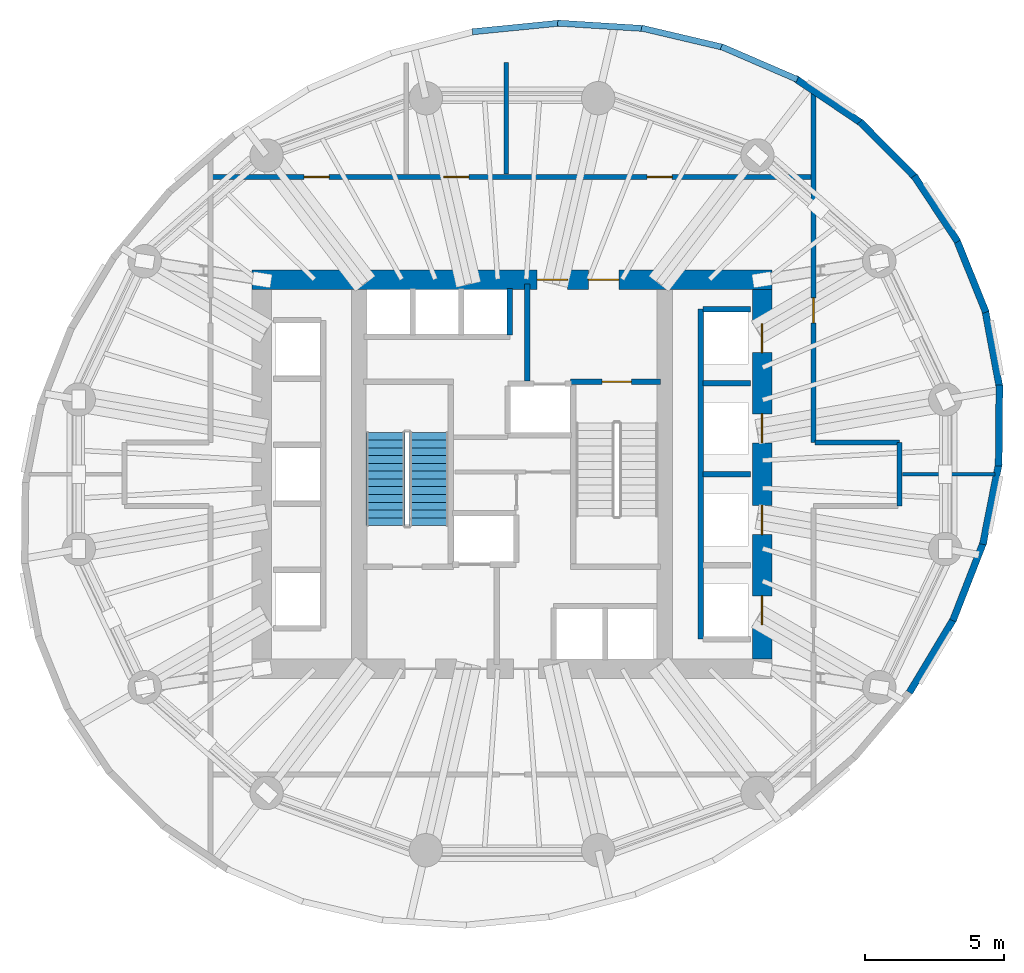
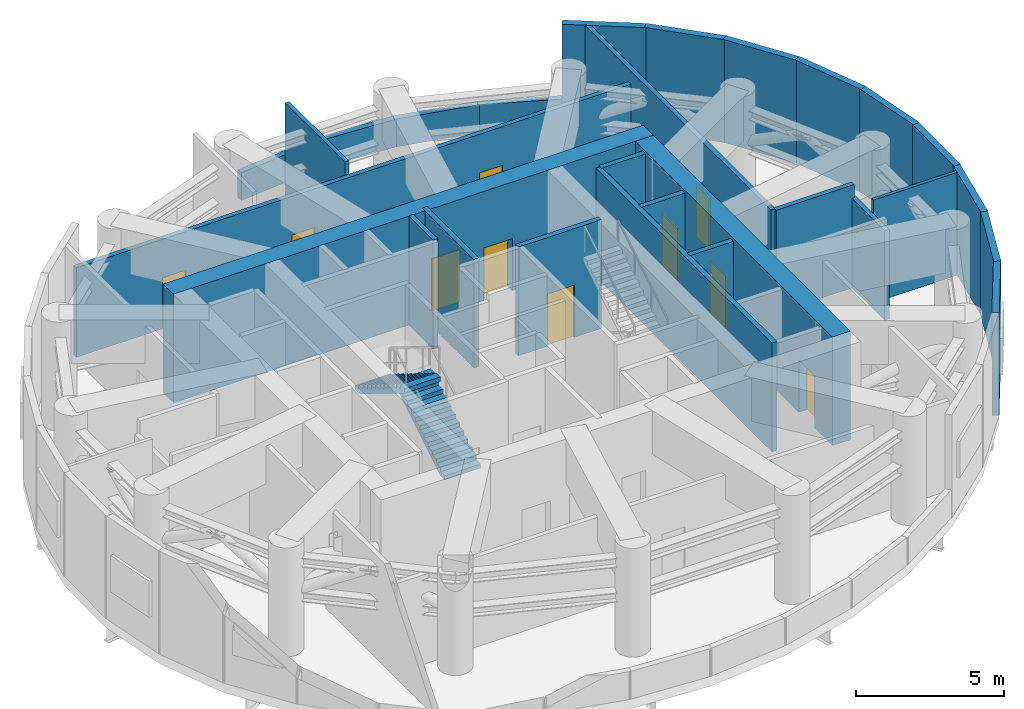
# One storey, part 6 of 9: 28 walls, 11 doors, 2 stair flights, 11 openings, 1 element without a shape of its own.
"""IFC4 building model written with IfcOpenShell, lengths in metres."""

from ifc_helpers import new_model, si_unit, direction, frame, frame_2d, origin, place, context, subcontext, project, spatial, polyline, rectangle, outline, extrude, material, layer, layer_set, type_object, element, fill, aggregate, save


model = new_model("IFC4")

# Units and contexts
model_context = context("Model", 3, precision=1e-05, world=origin(), true_north=direction((0.0, 1.0)))
body_context = subcontext(model_context, "Body", "Model", "MODEL_VIEW")
ifc_project = project(units=[si_unit("LENGTHUNIT", "METRE"), si_unit("AREAUNIT", "SQUARE_METRE"), si_unit("VOLUMEUNIT", "CUBIC_METRE"), si_unit("PLANEANGLEUNIT", "RADIAN"), si_unit("MASSUNIT", "GRAM", prefix="KILO")], contexts=[model_context])

# Site, building, storey
site_placement = place(None, origin())
site = spatial("IfcSite", under=ifc_project, at=site_placement, CompositionType="ELEMENT")
building_placement = place(site_placement, origin())
building = spatial("IfcBuilding", under=site, at=building_placement, Name="Veldorim Arch Residences", CompositionType="ELEMENT")
storey_placement = place(building_placement, frame((0.0, 0.0, 112.47998046875)))
storey = spatial("IfcBuildingStorey", under=building, at=storey_placement, Name="L33", CompositionType="ELEMENT", Elevation=112.47998046875)

# Wall
ifc_material_1 = material(Name="Acoustic Gypsum Board", Category="gypsum")
ifc_layer_1 = layer(ifc_material_1, 0.125, Name="Acoustic Stud Room Partition Wall 125")
ifc_layer_set_1 = layer_set([ifc_layer_1], Name="Acoustic Gypsum Board")
wall_type_1 = type_object("IfcWallType", Name="Acoustic Stud Room Partition Wall 125", PredefinedType="PARTITIONING", material=ifc_layer_set_1)
wall_1_placement = place(storey_placement, frame((46.050048828125, 24.0, 0.0), z_axis=(0.0, 0.0, 1.0), x_axis=(1.0, 0.0, 0.0)))
element("IfcWall", 1, at=wall_1_placement, inside=storey, type_object=wall_type_1, Name="L33 interior wall WL-PLT-L33-016", PredefinedType="PARTITIONING", context=body_context, shape_type="SweptSolid", body=[
    extrude(rectangle(XDim=3.3271484375, YDim=0.125, at=frame_2d((1.66357421875, 0.0))), origin(), (0.0, 0.0, 1.0), 4.235107421875),
])

# Wall, openings, doors
ifc_material_2 = material(Name="Lightweight Masonry Block & Gypsum", Category="masonry")
ifc_layer_2 = layer(ifc_material_2, 0.179931640625, Name="Compartment & Corridor Fire-Rated Party Wall 180")
ifc_layer_set_2 = layer_set([ifc_layer_2], Name="Lightweight Masonry Block & Gypsum")
wall_type_2 = type_object("IfcWallType", Name="Compartment & Corridor Fire-Rated Party Wall 180", PredefinedType="PARTITIONING", material=ifc_layer_set_2)
wall_2_placement = place(storey_placement, frame((21.14990234375, 34.699951171875, 0.0), z_axis=(0.0, 0.0, 1.0), x_axis=(1.0, 0.0, 0.0)))
wall_2 = element("IfcWall", 2, at=wall_2_placement, inside=storey, type_object=wall_type_2, Name="L33 interior wall WL-PLT-L33-002", PredefinedType="PARTITIONING", context=body_context, shape_type="SweptSolid", body=[
    extrude(rectangle(XDim=21.7001953125, YDim=0.179931640625, at=frame_2d((10.85009765625, 0.0))), origin(), (0.0, 0.0, 1.0), 3.69140625),
])
opening_1_placement = place(wall_2_placement, frame((15.715087890625, 0.0, 0.0)))
opening_1 = element("IfcOpeningElement", 3, at=opening_1_placement, cuts=wall_2, Name="Opening DR-INT", PredefinedType="OPENING", context=body_context, shape_type="SweptSolid", body=[
    extrude(rectangle(XDim=0.89990234375, YDim=2.10009765625, at=frame_2d((0.449951171875, 1.050048828125))), frame((0.0, 0.099853515625, 0.0), z_axis=(0.0, -1.0, 0.0), x_axis=(1.0, 0.0, 0.0)), (0.0, 0.0, 1.0), 0.199951171875),
])
opening_2_placement = place(wall_2_placement, frame((8.39990234375, 0.0, 0.0)))
opening_2 = element("IfcOpeningElement", 4, at=opening_2_placement, cuts=wall_2, Name="Opening DR-WC", PredefinedType="OPENING", context=body_context, shape_type="SweptSolid", body=[
    extrude(rectangle(XDim=0.89990234375, YDim=2.10009765625, at=frame_2d((0.449951171875, 1.050048828125))), frame((0.0, 0.099853515625, 0.0), z_axis=(0.0, -1.0, 0.0), x_axis=(1.0, 0.0, 0.0)), (0.0, 0.0, 1.0), 0.199951171875),
])
opening_3_placement = place(wall_2_placement, frame((3.364990234375, 0.0, 0.0)))
opening_3 = element("IfcOpeningElement", 5, at=opening_3_placement, cuts=wall_2, Name="Opening DR-SVC", PredefinedType="OPENING", context=body_context, shape_type="SweptSolid", body=[
    extrude(rectangle(XDim=0.89990234375, YDim=2.10009765625, at=frame_2d((0.449951171875, 1.050048828125))), frame((0.0, 0.099853515625, 0.0), z_axis=(0.0, -1.0, 0.0), x_axis=(1.0, 0.0, 0.0)), (0.0, 0.0, 1.0), 0.199951171875),
])
ifc_material_3 = material(Name="Engineered Timber", Category="wood")
door_type_1 = type_object("IfcDoorType", Name="Apartment Internal Room Timber Door 900x2100", OperationType="SINGLE_SWING_LEFT", PredefinedType="DOOR", material=ifc_material_3)
door_1_placement = place(opening_1_placement, origin())
door_1 = element("IfcDoor", 6, at=door_1_placement, inside=storey, type_object=door_type_1, Name="L33 interior door DR-PLT-L33-002", OperationType="SINGLE_SWING_RIGHT", OverallHeight=2.10009765625, OverallWidth=0.89990234375, PredefinedType="DOOR", context=body_context, shape_type="SweptSolid", body=[
    extrude(rectangle(XDim=0.89990234375, YDim=2.10009765625, at=frame_2d((0.449951171875, 1.050048828125))), frame((0.0, 0.02490234375, 0.0), z_axis=(0.0, -1.0, 0.0), x_axis=(1.0, 0.0, 0.0)), (0.0, 0.0, 1.0), 0.050048828125),
])
fill(opening_1, door_1)
ifc_material_4 = material(Name="Laminate Timber", Category="wood")
door_type_2 = type_object("IfcDoorType", Name="Bathroom & Accessible WC Moisture-Sealed Door 900x2100", OperationType="SINGLE_SWING_LEFT", PredefinedType="DOOR", material=ifc_material_4)
door_2_placement = place(opening_2_placement, origin())
door_2 = element("IfcDoor", 7, at=door_2_placement, inside=storey, type_object=door_type_2, Name="L33 interior door DR-PLT-L33-003", OperationType="SINGLE_SWING_LEFT", OverallHeight=2.10009765625, OverallWidth=0.89990234375, PredefinedType="DOOR", context=body_context, shape_type="SweptSolid", body=[
    extrude(rectangle(XDim=0.89990234375, YDim=2.10009765625, at=frame_2d((0.449951171875, 1.050048828125))), frame((0.0, 0.02490234375, 0.0), z_axis=(0.0, -1.0, 0.0), x_axis=(1.0, 0.0, 0.0)), (0.0, 0.0, 1.0), 0.050048828125),
])
fill(opening_2, door_2)
ifc_material_5 = material(Name="Fire-Rated Steel", Category="steel")
door_type_3 = type_object("IfcDoorType", Name="Riser, Shelter & Plant Room Rated Steel Door 900x2100", OperationType="SINGLE_SWING_LEFT", PredefinedType="DOOR", material=ifc_material_5)
door_3_placement = place(opening_3_placement, origin())
door_3 = element("IfcDoor", 8, at=door_3_placement, inside=storey, type_object=door_type_3, Name="L33 interior door DR-PLT-L33-004", OperationType="SINGLE_SWING_RIGHT", OverallHeight=2.10009765625, OverallWidth=0.89990234375, PredefinedType="DOOR", context=body_context, shape_type="SweptSolid", body=[
    extrude(rectangle(XDim=0.89990234375, YDim=2.10009765625, at=frame_2d((0.449951171875, 1.050048828125))), frame((0.0, 0.02490234375, 0.0), z_axis=(0.0, -1.0, 0.0), x_axis=(1.0, 0.0, 0.0)), (0.0, 0.0, 1.0), 0.050048828125),
])
fill(opening_3, door_3)

# Wall
wall_3_placement = place(storey_placement, frame((45.949951171875, 25.14990234375, 0.0), z_axis=(0.0, 0.0, 1.0), x_axis=(0.0, -1.0, 0.0)))
element("IfcWall", 9, at=wall_3_placement, inside=storey, type_object=wall_type_2, Name="L33 interior wall WL-PLT-L33-008", PredefinedType="PARTITIONING", context=body_context, shape_type="SweptSolid", body=[
    extrude(rectangle(XDim=2.2998046875, YDim=0.179931640625, at=frame_2d((1.14990234375, 0.0))), origin(), (0.0, 0.0, 1.0), 3.69140625),
])

# Wall, opening, door
wall_4_placement = place(storey_placement, frame((42.85009765625, 37.72119140625, 0.0), z_axis=(0.0, 0.0, 1.0), x_axis=(0.0, -1.0, 0.0)))
wall_4 = element("IfcWall", 10, at=wall_4_placement, inside=storey, type_object=wall_type_2, Name="L33 interior wall WL-PLT-L33-011", PredefinedType="PARTITIONING", context=body_context, shape_type="SweptSolid", body=[
    extrude(rectangle(XDim=12.5712890625, YDim=0.179931640625, at=frame_2d((6.28564453125, 0.0))), origin(), (0.0, 0.0, 1.0), 4.235107421875),
])
opening_4_placement = place(wall_4_placement, frame((7.376220703125, 0.0, 0.0)))
opening_4 = element("IfcOpeningElement", 11, at=opening_4_placement, cuts=wall_4, Name="Opening DR-SVC", PredefinedType="OPENING", context=body_context, shape_type="SweptSolid", body=[
    extrude(rectangle(XDim=0.89990234375, YDim=2.10009765625, at=frame_2d((0.449951171875, 1.050048828125))), frame((0.0, 0.099853515625, 0.0), z_axis=(0.0, -1.0, 0.0), x_axis=(1.0, 0.0, 0.0)), (0.0, 0.0, 1.0), 0.199951171875),
])
door_4_placement = place(opening_4_placement, origin())
door_4 = element("IfcDoor", 12, at=door_4_placement, inside=storey, type_object=door_type_3, Name="L33 interior door DR-PLT-L33-008", OperationType="SINGLE_SWING_RIGHT", OverallHeight=2.10009765625, OverallWidth=0.89990234375, PredefinedType="DOOR", context=body_context, shape_type="SweptSolid", body=[
    extrude(rectangle(XDim=0.89990234375, YDim=2.10009765625, at=frame_2d((0.449951171875, 1.050048828125))), frame((0.0, 0.02490234375, 0.0), z_axis=(0.0, -1.0, 0.0), x_axis=(1.0, 0.0, 0.0)), (0.0, 0.0, 1.0), 0.050048828125),
])
fill(opening_4, door_4)

# Wall
wall_5_placement = place(storey_placement, frame((42.909912109375, 25.14990234375, 0.0), z_axis=(0.0, 0.0, 1.0), x_axis=(1.0, 0.0, 0.0)))
element("IfcWall", 13, at=wall_5_placement, inside=storey, type_object=wall_type_2, Name="L33 interior wall WL-PLT-L33-012", PredefinedType="PARTITIONING", context=body_context, shape_type="SweptSolid", body=[
    extrude(rectangle(XDim=3.0400390625, YDim=0.179931640625, at=frame_2d((1.52001953125, 0.0))), origin(), (0.0, 0.0, 1.0), 4.235107421875),
])

# Wall, opening, door
ifc_material_6 = material(Name="Concrete C50/60", Category="concrete")
ifc_layer_3 = layer(ifc_material_6, 0.199951171875, Name="Core Stair & Lift Shaft Enclosure Wall 200")
ifc_layer_set_3 = layer_set([ifc_layer_3], Name="Concrete C50/60")
wall_type_3 = type_object("IfcWallType", Name="Core Stair & Lift Shaft Enclosure Wall 200", PredefinedType="SHEAR", material=ifc_layer_set_3)
wall_6_placement = place(storey_placement, frame((34.110107421875, 27.330078125, 0.0), z_axis=(0.0, 0.0, 1.0), x_axis=(1.0, 0.0, 0.0)))
wall_6 = element("IfcWall", 14, at=wall_6_placement, inside=storey, type_object=wall_type_3, Name="L33 shaft wall WL-SHF-L33-ST2-N", PredefinedType="SHEAR", context=body_context, shape_type="SweptSolid", body=[
    extrude(rectangle(XDim=3.239990234375, YDim=0.199951171875, at=frame_2d((1.6201171875, 0.0))), origin(), (0.0, 0.0, 1.0), 4.47998046875),
])
opening_5_placement = place(wall_6_placement, frame((1.135009765625, 0.0, 0.0)))
opening_5 = element("IfcOpeningElement", 15, at=opening_5_placement, cuts=wall_6, Name="Opening DR-ST", PredefinedType="OPENING", context=body_context, shape_type="SweptSolid", body=[
    extrude(rectangle(XDim=1.050048828125, YDim=2.14990234375, at=frame_2d((0.52490234375, 1.074951171875))), frame((0.0, 0.10986328125, 0.0), z_axis=(0.0, -1.0, 0.0), x_axis=(1.0, 0.0, 0.0)), (0.0, 0.0, 1.0), 0.219970703125),
])
ifc_material_7 = material(Name="Fire-Rated Steel", Category="steel")
door_type_4 = type_object("IfcDoorType", Name="Exit Staircase Self-Closing Fire Door 1050x2150", OperationType="SINGLE_SWING_LEFT", PredefinedType="DOOR", material=ifc_material_7)
door_5_placement = place(opening_5_placement, origin())
door_5 = element("IfcDoor", 16, at=door_5_placement, inside=storey, type_object=door_type_4, Name="L33 interior door DR-L33-ST2", OperationType="SINGLE_SWING_RIGHT", OverallHeight=2.14990234375, OverallWidth=1.050048828125, PredefinedType="DOOR", context=body_context, shape_type="SweptSolid", body=[
    extrude(rectangle(XDim=1.050048828125, YDim=2.14990234375, at=frame_2d((0.52490234375, 1.074951171875))), frame((0.0, 0.02490234375, 0.0), z_axis=(0.0, -1.0, 0.0), x_axis=(1.0, 0.0, 0.0)), (0.0, 0.0, 1.0), 0.050048828125),
])
fill(opening_5, door_5)

# Walls
wall_7_placement = place(storey_placement, frame((32.550048828125, 27.35009765625, 0.0), z_axis=(0.0, 0.0, 1.0), x_axis=(0.0, 1.0, 0.0)))
element("IfcWall", 17, at=wall_7_placement, inside=storey, type_object=wall_type_3, Name="L33 shaft wall WL-FFL2-L33-W", PredefinedType="SHEAR", context=body_context, shape_type="SweptSolid", body=[
    extrude(rectangle(XDim=3.5, YDim=0.199951171875, at=frame_2d((1.75, 0.0))), origin(), (0.0, 0.0, 1.0), 4.47998046875),
])
wall_8_placement = place(storey_placement, frame((38.800048828125, 18.06005859375, 0.0), z_axis=(0.0, 0.0, 1.0), x_axis=(0.0, 1.0, 0.0)))
element("IfcWall", 18, at=wall_8_placement, inside=storey, type_object=wall_type_3, Name="L33 shaft wall WL-B1-L33-W", PredefinedType="SHEAR", context=body_context, shape_type="SweptSolid", body=[
    extrude(rectangle(XDim=11.8798828125, YDim=0.199951171875, at=frame_2d((5.93994140625, 0.0))), origin(), (0.0, 0.0, 1.0), 4.47998046875),
])
for number, where, z_axis, x_axis, name in (
    (19, (38.8701171875, 29.93994140625, 0.0), (0.0, 0.0, 1.0), (1.0, 0.0, 0.0), "L33 shaft wall WL-B1-L33-N"),
    (20, (38.8701171875, 24.0, 0.0), (0.0, 0.0, 1.0), (1.0, 0.0, 0.0), "L33 shaft wall WL-B1-L33-D2"),
    (21, (38.8701171875, 27.27490234375, 0.0), (0.0, 0.0, 1.0), (1.0, 0.0, 0.0), "L33 shaft wall WL-B1-L33-D3"),
):
    element("IfcWall", number, at=place(storey_placement, frame(where, z_axis=z_axis, x_axis=x_axis)), inside=storey, type_object=wall_type_3, Name=name, PredefinedType="SHEAR", context=body_context, shape_type="SweptSolid", body=[
        extrude(rectangle(XDim=1.7099609375, YDim=0.199951171875, at=frame_2d((0.85498046875, 0.0))), origin(), (0.0, 0.0, 1.0), 4.47998046875),
    ])
wall_9_placement = place(storey_placement, frame((31.919921875, 29.02001953125, 0.0), z_axis=(0.0, 0.0, 1.0), x_axis=(0.0, 1.0, 0.0)))
element("IfcWall", 22, at=wall_9_placement, inside=storey, type_object=wall_type_3, Name="L33 shaft wall WL-B3-L33-E", PredefinedType="SHEAR", context=body_context, shape_type="SweptSolid", body=[
    extrude(rectangle(XDim=1.659912109375, YDim=0.199951171875, at=frame_2d((0.830078125, 0.0))), origin(), (0.0, 0.0, 1.0), 4.47998046875),
])

# Wall, openings, doors
ifc_material_8 = material(Name="Concrete C60/75", Category="concrete")
ifc_layer_4 = layer(ifc_material_8, 0.699951171875, Name="Mid-Lower Central Core Shear Wall 700")
ifc_layer_set_4 = layer_set([ifc_layer_4], Name="Concrete C60/75")
wall_type_4 = type_object("IfcWallType", Name="Mid-Lower Central Core Shear Wall 700", PredefinedType="SHEAR", material=ifc_layer_set_4)
wall_10_placement = place(storey_placement, frame((22.64990234375, 31.0, 0.0), z_axis=(0.0, 0.0, 1.0), x_axis=(1.0, 0.0, 0.0)))
wall_10 = element("IfcWall", 23, at=wall_10_placement, inside=storey, type_object=wall_type_4, Name="L33 central core north shear wall", PredefinedType="SHEAR", context=body_context, shape_type="SweptSolid", body=[
    extrude(rectangle(XDim=18.7001953125, YDim=0.699951171875, at=frame_2d((9.35009765625, 0.0))), origin(), (0.0, 0.0, 1.0), 4.47998046875),
])
opening_6_placement = place(wall_10_placement, frame((10.25, 0.0, 0.0)))
opening_6 = element("IfcOpeningElement", 24, at=opening_6_placement, cuts=wall_10, Name="Opening DR-FFL", PredefinedType="OPENING", context=body_context, shape_type="SweptSolid", body=[
    extrude(rectangle(XDim=1.10009765625, YDim=2.14990234375, at=frame_2d((0.550048828125, 1.074951171875))), frame((0.0, 0.35986328125, 0.0), z_axis=(0.0, -1.0, 0.0), x_axis=(1.0, 0.0, 0.0)), (0.0, 0.0, 1.0), 0.719970703125),
])
opening_7_placement = place(wall_10_placement, frame((12.10009765625, 0.0, 0.0)))
opening_7 = element("IfcOpeningElement", 25, at=opening_7_placement, cuts=wall_10, Name="Opening DR-FFL", PredefinedType="OPENING", context=body_context, shape_type="SweptSolid", body=[
    extrude(rectangle(XDim=1.10009765625, YDim=2.14990234375, at=frame_2d((0.550048828125, 1.074951171875))), frame((0.0, 0.35986328125, 0.0), z_axis=(0.0, -1.0, 0.0), x_axis=(1.0, 0.0, 0.0)), (0.0, 0.0, 1.0), 0.719970703125),
])
ifc_material_9 = material(Name="Fire-Rated Steel & Vision Glass", Category="steel")
door_type_5 = type_object("IfcDoorType", Name="Firefighting Lobby Smoke-Stop Fire Door 1100x2150", OperationType="SINGLE_SWING_LEFT", PredefinedType="DOOR", material=ifc_material_9)
door_6_placement = place(opening_6_placement, origin())
door_6 = element("IfcDoor", 26, at=door_6_placement, inside=storey, type_object=door_type_5, Name="L33 interior door DR-L33-FFL2", OperationType="SINGLE_SWING_RIGHT", OverallHeight=2.14990234375, OverallWidth=1.10009765625, PredefinedType="DOOR", context=body_context, shape_type="SweptSolid", body=[
    extrude(rectangle(XDim=1.10009765625, YDim=2.14990234375, at=frame_2d((0.550048828125, 1.074951171875))), frame((0.0, 0.02490234375, 0.0), z_axis=(0.0, -1.0, 0.0), x_axis=(1.0, 0.0, 0.0)), (0.0, 0.0, 1.0), 0.050048828125),
])
fill(opening_6, door_6)
door_7_placement = place(opening_7_placement, origin())
door_7 = element("IfcDoor", 27, at=door_7_placement, inside=storey, type_object=door_type_5, Name="L33 interior door DR-L33-REF2", OperationType="SINGLE_SWING_LEFT", OverallHeight=2.14990234375, OverallWidth=1.10009765625, PredefinedType="DOOR", context=body_context, shape_type="SweptSolid", body=[
    extrude(rectangle(XDim=1.10009765625, YDim=2.14990234375, at=frame_2d((0.550048828125, 1.074951171875))), frame((0.0, 0.02490234375, 0.0), z_axis=(0.0, -1.0, 0.0), x_axis=(1.0, 0.0, 0.0)), (0.0, 0.0, 1.0), 0.050048828125),
])
fill(opening_7, door_7)

wall_11_placement = place(storey_placement, frame((41.0, 17.35009765625, 0.0), z_axis=(0.0, 0.0, 1.0), x_axis=(0.0, 1.0, 0.0)))
wall_11 = element("IfcWall", 28, at=wall_11_placement, inside=storey, type_object=wall_type_4, Name="L33 central core east shear wall", PredefinedType="SHEAR", context=body_context, shape_type="SweptSolid", body=[
    extrude(rectangle(XDim=13.2998046875, YDim=0.699951171875, at=frame_2d((6.64990234375, 0.0))), origin(), (0.0, 0.0, 1.0), 4.47998046875),
])
opening_8_placement = place(wall_11_placement, frame((1.22509765625, 0.0, 0.0)))
opening_8 = element("IfcOpeningElement", 29, at=opening_8_placement, cuts=wall_11, Name="Opening LD-PS", PredefinedType="OPENING", context=body_context, shape_type="SweptSolid", body=[
    extrude(rectangle(XDim=1.050048828125, YDim=2.14990234375, at=frame_2d((0.52490234375, 1.074951171875))), frame((0.0, 0.35986328125, 0.0), z_axis=(0.0, -1.0, 0.0), x_axis=(1.0, 0.0, 0.0)), (0.0, 0.0, 1.0), 0.719970703125),
])
opening_9_placement = place(wall_11_placement, frame((4.47509765625, 0.0, 0.0)))
opening_9 = element("IfcOpeningElement", 30, at=opening_9_placement, cuts=wall_11, Name="Opening LD-PS", PredefinedType="OPENING", context=body_context, shape_type="SweptSolid", body=[
    extrude(rectangle(XDim=1.050048828125, YDim=2.14990234375, at=frame_2d((0.52490234375, 1.074951171875))), frame((0.0, 0.35986328125, 0.0), z_axis=(0.0, -1.0, 0.0), x_axis=(1.0, 0.0, 0.0)), (0.0, 0.0, 1.0), 0.719970703125),
])
opening_10_placement = place(wall_11_placement, frame((7.77490234375, 0.0, 0.0)))
opening_10 = element("IfcOpeningElement", 31, at=opening_10_placement, cuts=wall_11, Name="Opening LD-PS", PredefinedType="OPENING", context=body_context, shape_type="SweptSolid", body=[
    extrude(rectangle(XDim=1.050048828125, YDim=2.14990234375, at=frame_2d((0.52490234375, 1.074951171875))), frame((0.0, 0.35986328125, 0.0), z_axis=(0.0, -1.0, 0.0), x_axis=(1.0, 0.0, 0.0)), (0.0, 0.0, 1.0), 0.719970703125),
])
opening_11_placement = place(wall_11_placement, frame((11.02490234375, 0.0, 0.0)))
opening_11 = element("IfcOpeningElement", 32, at=opening_11_placement, cuts=wall_11, Name="Opening LD-PS", PredefinedType="OPENING", context=body_context, shape_type="SweptSolid", body=[
    extrude(rectangle(XDim=1.050048828125, YDim=2.14990234375, at=frame_2d((0.52490234375, 1.074951171875))), frame((0.0, 0.35986328125, 0.0), z_axis=(0.0, -1.0, 0.0), x_axis=(1.0, 0.0, 0.0)), (0.0, 0.0, 1.0), 0.719970703125),
])
ifc_material_10 = material(Name="Stainless Steel", Category="steel")
door_type_6 = type_object("IfcDoorType", Name="Passenger Lift Bi-Parting Sliding Landing Door 1050x2150", OperationType="DOUBLE_DOOR_SLIDING", PredefinedType="DOOR", material=ifc_material_10)
door_8_placement = place(opening_8_placement, origin())
door_8 = element("IfcDoor", 33, at=door_8_placement, inside=storey, type_object=door_type_6, Name="L33 lift landing door LD-L33-PL-01", OperationType="DOUBLE_DOOR_SLIDING", OverallHeight=2.14990234375, OverallWidth=1.050048828125, PredefinedType="DOOR", context=body_context, shape_type="SweptSolid", body=[
    extrude(rectangle(XDim=1.050048828125, YDim=2.14990234375, at=frame_2d((0.52490234375, 1.074951171875))), frame((0.0, 0.02490234375, 0.0), z_axis=(0.0, -1.0, 0.0), x_axis=(1.0, 0.0, 0.0)), (0.0, 0.0, 1.0), 0.050048828125),
])
fill(opening_8, door_8)
door_9_placement = place(opening_9_placement, origin())
door_9 = element("IfcDoor", 34, at=door_9_placement, inside=storey, type_object=door_type_6, Name="L33 lift landing door LD-L33-PL-02", OperationType="DOUBLE_DOOR_SLIDING", OverallHeight=2.14990234375, OverallWidth=1.050048828125, PredefinedType="DOOR", context=body_context, shape_type="SweptSolid", body=[
    extrude(rectangle(XDim=1.050048828125, YDim=2.14990234375, at=frame_2d((0.52490234375, 1.074951171875))), frame((0.0, 0.02490234375, 0.0), z_axis=(0.0, -1.0, 0.0), x_axis=(1.0, 0.0, 0.0)), (0.0, 0.0, 1.0), 0.050048828125),
])
fill(opening_9, door_9)
door_10_placement = place(opening_10_placement, origin())
door_10 = element("IfcDoor", 35, at=door_10_placement, inside=storey, type_object=door_type_6, Name="L33 lift landing door LD-L33-PL-03", OperationType="DOUBLE_DOOR_SLIDING", OverallHeight=2.14990234375, OverallWidth=1.050048828125, PredefinedType="DOOR", context=body_context, shape_type="SweptSolid", body=[
    extrude(rectangle(XDim=1.050048828125, YDim=2.14990234375, at=frame_2d((0.52490234375, 1.074951171875))), frame((0.0, 0.02490234375, 0.0), z_axis=(0.0, -1.0, 0.0), x_axis=(1.0, 0.0, 0.0)), (0.0, 0.0, 1.0), 0.050048828125),
])
fill(opening_10, door_10)
door_11_placement = place(opening_11_placement, origin())
door_11 = element("IfcDoor", 36, at=door_11_placement, inside=storey, type_object=door_type_6, Name="L33 lift landing door LD-L33-PL-04", OperationType="DOUBLE_DOOR_SLIDING", OverallHeight=2.14990234375, OverallWidth=1.050048828125, PredefinedType="DOOR", context=body_context, shape_type="SweptSolid", body=[
    extrude(rectangle(XDim=1.050048828125, YDim=2.14990234375, at=frame_2d((0.52490234375, 1.074951171875))), frame((0.0, 0.02490234375, 0.0), z_axis=(0.0, -1.0, 0.0), x_axis=(1.0, 0.0, 0.0)), (0.0, 0.0, 1.0), 0.050048828125),
])
fill(opening_11, door_11)

# Walls
ifc_material_11 = material(Name="Precast concrete C40/50", Category="concrete")
ifc_layer_5 = layer(ifc_material_11, 0.219970703125, Name="Terrace & Refuge Perimeter Parapet Wall 220")
ifc_layer_set_5 = layer_set([ifc_layer_5], Name="Precast concrete C40/50")
wall_type_5 = type_object("IfcWallType", Name="Terrace & Refuge Perimeter Parapet Wall 220", PredefinedType="PARAPET", material=ifc_layer_set_5)
wall_12_placement = place(storey_placement, frame((39.537353515625, 39.390380859375, 0.0), z_axis=(0.0, 0.0, 1.0), x_axis=(0.917825556338, -0.396983939389, 0.0)))
element("IfcWall", 37, at=wall_12_placement, inside=storey, type_object=wall_type_5, Name="L33 fire refuge safety parapet 03", PredefinedType="PARAPET", context=body_context, shape_type="SweptSolid", body=[
    extrude(rectangle(XDim=2.978271484375, YDim=0.219970703125, at=frame_2d((1.4892578125, 0.0))), origin(), (0.0, 0.0, 1.0), 1.14990234375),
])
wall_13_placement = place(storey_placement, frame((36.662109375, 40.05810546875, 0.0), z_axis=(0.0, 0.0, 1.0), x_axis=(0.973415069123, -0.229048255186, 0.0)))
element("IfcWall", 38, at=wall_13_placement, inside=storey, type_object=wall_type_5, Name="L33 fire refuge safety parapet 04", PredefinedType="PARAPET", context=body_context, shape_type="SweptSolid", body=[
    extrude(rectangle(XDim=3.050537109375, YDim=0.219970703125, at=frame_2d((1.525390625, 0.0))), origin(), (0.0, 0.0, 1.0), 1.14990234375),
])
wall_14_placement = place(storey_placement, frame((33.64404296875, 40.23828125, 0.0), z_axis=(0.0, 0.0, 1.0), x_axis=(0.998055012508, -0.062339329543, 0.0)))
element("IfcWall", 39, at=wall_14_placement, inside=storey, type_object=wall_type_5, Name="L33 fire refuge safety parapet 05", PredefinedType="PARAPET", context=body_context, shape_type="SweptSolid", body=[
    extrude(rectangle(XDim=3.121337890625, YDim=0.219970703125, at=frame_2d((1.560546875, 0.0))), origin(), (0.0, 0.0, 1.0), 1.14990234375),
])
wall_15_placement = place(storey_placement, frame((30.5751953125, 39.92529296875, 0.0), z_axis=(0.0, 0.0, 1.0), x_axis=(0.995089470492, 0.098979521701, 0.0)))
element("IfcWall", 40, at=wall_15_placement, inside=storey, type_object=wall_type_5, Name="L33 fire refuge safety parapet 06", PredefinedType="PARAPET", context=body_context, shape_type="SweptSolid", body=[
    extrude(rectangle(XDim=3.181884765625, YDim=0.219970703125, at=frame_2d((1.5908203125, 0.0))), origin(), (0.0, 0.0, 1.0), 1.14990234375),
])
ifc_material_12 = material(Name="Precast concrete C40/50", Category="concrete")
ifc_layer_6 = layer(ifc_material_12, 0.25, Name="Tower Terracotta Spandrel & Pier Wall 250")
ifc_layer_set_6 = layer_set([ifc_layer_6], Name="Precast concrete C40/50")
wall_type_6 = type_object("IfcWallType", Name="Tower Terracotta Spandrel & Pier Wall 250", PredefinedType="SOLIDWALL", material=ifc_layer_set_6)
wall_16_placement = place(storey_placement, frame((46.476318359375, 34.738525390625, 0.0), z_axis=(0.0, 0.0, 1.0), x_axis=(0.551579139827, -0.83412256444, 0.0)))
element("IfcWall", 41, at=wall_16_placement, inside=storey, type_object=wall_type_6, Name="L33 outrigger plant enclosure wall 00", PredefinedType="SOLIDWALL", context=body_context, shape_type="SweptSolid", body=[
    extrude(rectangle(XDim=2.837646484375, YDim=0.25, at=frame_2d((1.4189453125, 0.0))), origin(), (0.0, 0.0, 1.0), 4.239990234375),
])
wall_17_placement = place(storey_placement, frame((44.519775390625, 36.689697265625, 0.0), z_axis=(0.0, 0.0, 1.0), x_axis=(0.705528090387, -0.708681955235, 0.0)))
element("IfcWall", 42, at=wall_17_placement, inside=storey, type_object=wall_type_6, Name="L33 outrigger plant enclosure wall 01", PredefinedType="SOLIDWALL", context=body_context, shape_type="SweptSolid", body=[
    extrude(rectangle(XDim=2.8642578125, YDim=0.25, at=frame_2d((1.43212890625, 0.0))), origin(), (0.0, 0.0, 1.0), 4.239990234375),
])
wall_18_placement = place(storey_placement, frame((42.183349609375, 38.256103515625, 0.0), z_axis=(0.0, 0.0, 1.0), x_axis=(0.828669865655, -0.559737665121, 0.0)))
element("IfcWall", 43, at=wall_18_placement, inside=storey, type_object=wall_type_6, Name="L33 outrigger plant enclosure wall 02", PredefinedType="SOLIDWALL", context=body_context, shape_type="SweptSolid", body=[
    extrude(rectangle(XDim=2.9130859375, YDim=0.25, at=frame_2d((1.45654296875, 0.0))), origin(), (0.0, 0.0, 1.0), 4.239990234375),
])
wall_19_placement = place(storey_placement, frame((47.912353515625, 18.818115234375, 0.0), z_axis=(0.0, 0.0, 1.0), x_axis=(-0.514840799828, -0.857285804637, 0.0)))
element("IfcWall", 44, at=wall_19_placement, inside=storey, type_object=wall_type_6, Name="L33 outrigger plant enclosure wall 30", PredefinedType="SOLIDWALL", context=body_context, shape_type="SweptSolid", body=[
    extrude(rectangle(XDim=3.121337890625, YDim=0.25, at=frame_2d((1.560546875, 0.0))), origin(), (0.0, 0.0, 1.0), 4.239990234375),
])
wall_20_placement = place(storey_placement, frame((48.97802734375, 21.572021484375, 0.0), z_axis=(0.0, 0.0, 1.0), x_axis=(-0.363554342734, -0.931572992244, 0.0)))
element("IfcWall", 45, at=wall_20_placement, inside=storey, type_object=wall_type_6, Name="L33 outrigger plant enclosure wall 31", PredefinedType="SOLIDWALL", context=body_context, shape_type="SweptSolid", body=[
    extrude(rectangle(XDim=3.05078125, YDim=0.25, at=frame_2d((1.525390625, 0.0))), origin(), (0.0, 0.0, 1.0), 4.239990234375),
])
wall_21_placement = place(storey_placement, frame((49.527099609375, 24.398681640625, 0.0), z_axis=(0.0, 0.0, 1.0), x_axis=(-0.193703626227, -0.981060092546, 0.0)))
element("IfcWall", 46, at=wall_21_placement, inside=storey, type_object=wall_type_6, Name="L33 outrigger plant enclosure wall 32", PredefinedType="SOLIDWALL", context=body_context, shape_type="SweptSolid", body=[
    extrude(rectangle(XDim=2.978271484375, YDim=0.25, at=frame_2d((1.4892578125, 0.0))), origin(), (0.0, 0.0, 1.0), 4.239990234375),
])
wall_22_placement = place(storey_placement, frame((49.543701171875, 27.21240234375, 0.0), z_axis=(0.0, 0.0, 1.0), x_axis=(-0.009134717755, -0.999958277595, 0.0)))
element("IfcWall", 47, at=wall_22_placement, inside=storey, type_object=wall_type_6, Name="L33 outrigger plant enclosure wall 33", PredefinedType="SOLIDWALL", context=body_context, shape_type="SweptSolid", body=[
    extrude(rectangle(XDim=2.9130859375, YDim=0.25, at=frame_2d((1.45654296875, 0.0))), origin(), (0.0, 0.0, 1.0), 4.239990234375),
])
wall_23_placement = place(storey_placement, frame((49.027099609375, 29.927490234375, 0.0), z_axis=(0.0, 0.0, 1.0), x_axis=(0.183444393849, -0.98303008823, 0.0)))
element("IfcWall", 48, at=wall_23_placement, inside=storey, type_object=wall_type_6, Name="L33 outrigger plant enclosure wall 34", PredefinedType="SOLIDWALL", context=body_context, shape_type="SweptSolid", body=[
    extrude(rectangle(XDim=2.864013671875, YDim=0.25, at=frame_2d((1.43212890625, 0.0))), origin(), (0.0, 0.0, 1.0), 4.239990234375),
])
wall_24_placement = place(storey_placement, frame((47.994140625, 32.461669921875, 0.0), z_axis=(0.0, 0.0, 1.0), x_axis=(0.374088888102, -0.927392853002, 0.0)))
element("IfcWall", 49, at=wall_24_placement, inside=storey, type_object=wall_type_6, Name="L33 outrigger plant enclosure wall 35", PredefinedType="SOLIDWALL", context=body_context, shape_type="SweptSolid", body=[
    extrude(rectangle(XDim=2.837646484375, YDim=0.25, at=frame_2d((1.4189453125, 0.0))), origin(), (0.0, 0.0, 1.0), 4.239990234375),
])
ifc_material_13 = material(Name="Moisture-Resistant Gypsum & Stud", Category="gypsum")
ifc_layer_7 = layer(ifc_material_13, 0.159912109375, Name="Wet-Area Moisture-Resistant Plumbing Wall 160")
ifc_layer_set_7 = layer_set([ifc_layer_7], Name="Moisture-Resistant Gypsum & Stud")
wall_type_7 = type_object("IfcWallType", Name="Wet-Area Moisture-Resistant Plumbing Wall 160", PredefinedType="PLUMBINGWALL", material=ifc_layer_set_7)
wall_25_placement = place(storey_placement, frame((31.800048828125, 34.800048828125, 0.0), z_axis=(0.0, 0.0, 1.0), x_axis=(0.0, 1.0, 0.0)))
element("IfcWall", 50, at=wall_25_placement, inside=storey, type_object=wall_type_7, Name="L33 interior wall WL-PLT-L33-013", PredefinedType="PLUMBINGWALL", context=body_context, shape_type="SweptSolid", body=[
    extrude(rectangle(XDim=4.02001953125, YDim=0.159912109375, at=frame_2d((2.010009765625, 0.0))), origin(), (0.0, 0.0, 1.0), 4.235107421875),
])

# Stair, stair flights
ifc_material_14 = material(Name="Concrete C40/50", Category="concrete")
stair_type = type_object("IfcStairType", Name="Reinforced Concrete Dogleg Exit Staircase", PredefinedType="HALF_TURN_STAIR", material=ifc_material_14)
stair_placement = place(storey_placement, origin())
stair = element("IfcStair", 51, at=stair_placement, inside=storey, type_object=stair_type, Name="L33 Exit Staircase ST-1", PredefinedType="HALF_TURN_STAIR")
ifc_material_15 = material(Name="Concrete C40/50", Category="concrete")
stair_flight_type = type_object("IfcStairFlightType", Name="Reinforced Concrete Stair Flight 1400", PredefinedType="STRAIGHT", material=ifc_material_15)
stair_flight_1_placement = place(storey_placement, frame((29.010009765625, 22.14990234375, 0.0), z_axis=(0.0, 0.0, 1.0), x_axis=(0.0, 1.0, 0.0)))
stair_flight_1 = element("IfcStairFlight", 52, at=stair_flight_1_placement, type_object=stair_flight_type, Name="ST-1 flight 1", NumberOfRisers=13, NumberOfTreads=12, PredefinedType="STRAIGHT", RiserHeight=0.172307692, TreadLength=0.28, context=body_context, shape_type="SweptSolid", body=[
    extrude(outline(polyline([(0.0, 0.0), (0.0, 0.17236328125), (0.280029296875, 0.17236328125), (0.280029296875, 0.3447265625), (0.56005859375, 0.3447265625), (0.56005859375, 0.516845703125), (0.840087890625, 0.516845703125), (0.840087890625, 0.689208984375), (1.1201171875, 0.689208984375), (1.1201171875, 0.861572265625), (1.39990234375, 0.861572265625), (1.39990234375, 1.033935546875), (1.679931640625, 1.033935546875), (1.679931640625, 1.2060546875), (1.9599609375, 1.2060546875), (1.9599609375, 1.37841796875), (2.239990234375, 1.37841796875), (2.239990234375, 1.55078125), (2.52001953125, 1.55078125), (2.52001953125, 1.72314453125), (2.800048828125, 1.72314453125), (2.800048828125, 1.895263671875), (3.080078125, 1.895263671875), (3.080078125, 2.067626953125), (3.360107421875, 2.067626953125), (3.360107421875, 2.239990234375), (3.360107421875, 1.8798828125), (0.30517578125, 0.0), (0.0, 0.0)])), frame((0.0, 0.699951171875, 0.0), z_axis=(0.0, -1.0, 0.0), x_axis=(1.0, 0.0, 0.0)), (0.0, 0.0, 1.0), 1.39990234375),
])
stair_flight_2_placement = place(storey_placement, frame((27.449951171875, 25.510009765625, 2.239990234375), z_axis=(0.0, 0.0, 1.0), x_axis=(0.0, -1.0, 0.0)))
stair_flight_2 = element("IfcStairFlight", 53, at=stair_flight_2_placement, type_object=stair_flight_type, Name="ST-1 flight 2", NumberOfRisers=13, NumberOfTreads=12, PredefinedType="STRAIGHT", RiserHeight=0.172307692, TreadLength=0.28, context=body_context, shape_type="SweptSolid", body=[
    extrude(outline(polyline([(0.0, 0.0), (0.0, 0.17236328125), (0.280029296875, 0.17236328125), (0.280029296875, 0.3447265625), (0.56005859375, 0.3447265625), (0.56005859375, 0.516845703125), (0.840087890625, 0.516845703125), (0.840087890625, 0.689208984375), (1.1201171875, 0.689208984375), (1.1201171875, 0.861572265625), (1.39990234375, 0.861572265625), (1.39990234375, 1.033935546875), (1.679931640625, 1.033935546875), (1.679931640625, 1.2060546875), (1.9599609375, 1.2060546875), (1.9599609375, 1.37841796875), (2.239990234375, 1.37841796875), (2.239990234375, 1.55078125), (2.52001953125, 1.55078125), (2.52001953125, 1.72314453125), (2.800048828125, 1.72314453125), (2.800048828125, 1.895263671875), (3.080078125, 1.895263671875), (3.080078125, 2.067626953125), (3.360107421875, 2.067626953125), (3.360107421875, 2.239990234375), (3.360107421875, 1.8798828125), (0.30517578125, 0.0), (0.0, 0.0)])), frame((0.0, 0.699951171875, 0.0), z_axis=(0.0, -1.0, 0.0), x_axis=(1.0, 0.0, 0.0)), (0.0, 0.0, 1.0), 1.39990234375),
])
aggregate(stair, [stair_flight_1, stair_flight_2])

save(model, "model.ifc")
